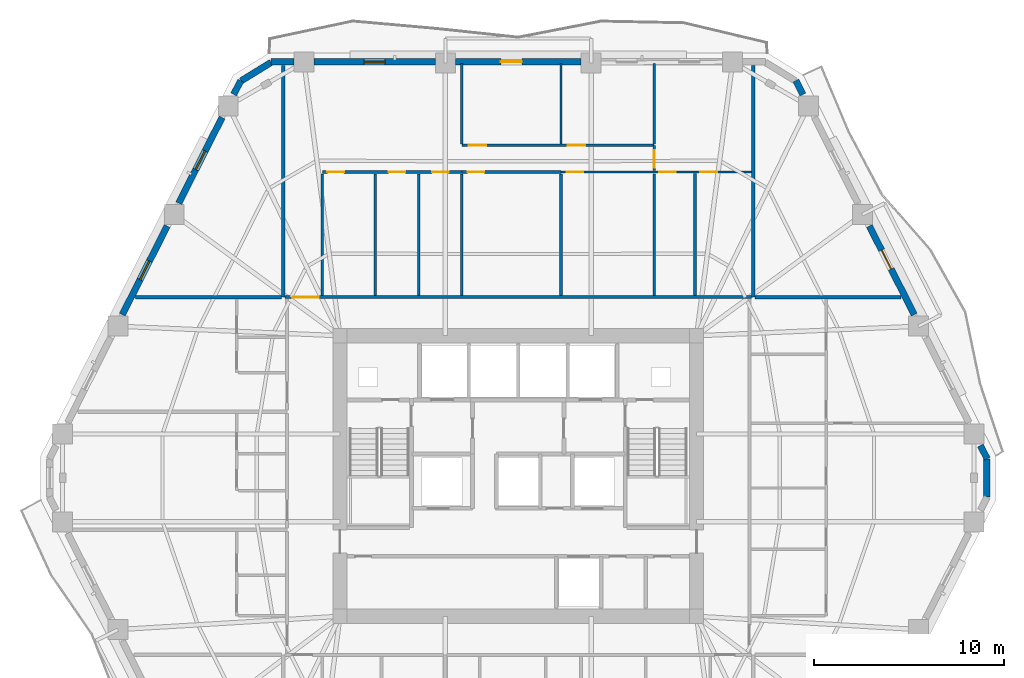
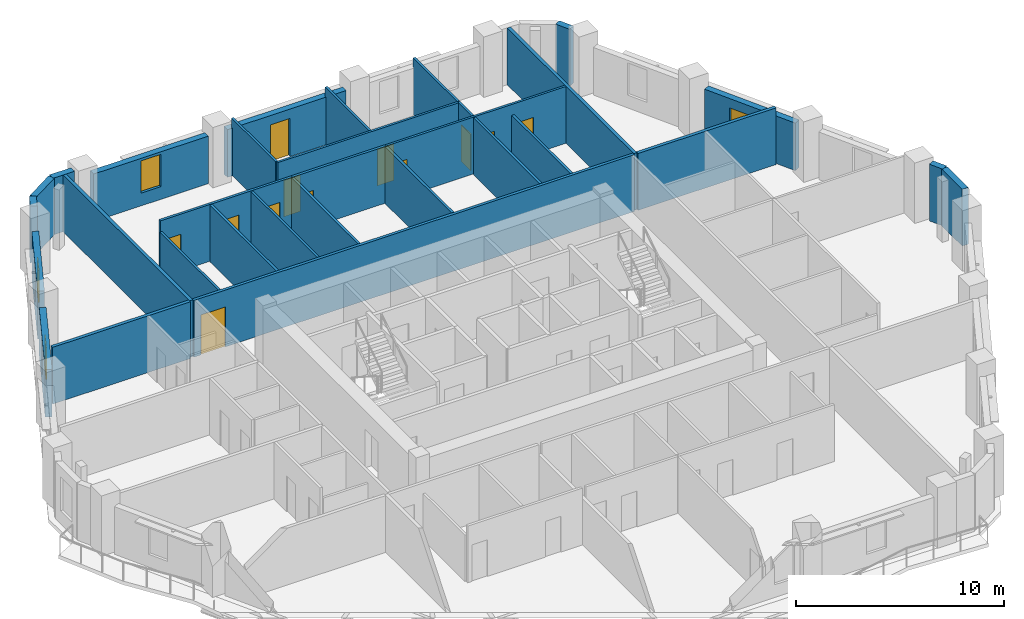
# One storey, part 7 of 12: 31 walls, 13 doors, 3 windows, 16 openings.
"""IFC4 building model written with IfcOpenShell, lengths in metres."""

from ifc_helpers import new_model, si_unit, direction, frame, frame_2d, origin, place, context, subcontext, project, spatial, rectangle, extrude, material, layer, layer_set, type_object, element, fill, save


model = new_model("IFC4")

# Units and contexts
model_context = context("Model", 3, precision=1e-05, world=origin(), true_north=direction((0.0, 1.0)))
body_context = subcontext(model_context, "Body", "Model", "MODEL_VIEW")
ifc_project = project(units=[si_unit("LENGTHUNIT", "METRE"), si_unit("AREAUNIT", "SQUARE_METRE"), si_unit("VOLUMEUNIT", "CUBIC_METRE"), si_unit("PLANEANGLEUNIT", "RADIAN"), si_unit("MASSUNIT", "GRAM", prefix="KILO")], contexts=[model_context])

# Site, building, storey
site_placement = place(None, origin())
site = spatial("IfcSite", under=ifc_project, at=site_placement, CompositionType="ELEMENT")
building_placement = place(site_placement, origin())
building = spatial("IfcBuilding", under=site, at=building_placement, Name="Cinnabar Lancet Tower", CompositionType="ELEMENT")
storey_placement = place(building_placement, frame((0.0, 0.0, 112.60009765625)))
storey = spatial("IfcBuildingStorey", under=building, at=storey_placement, Name="L29", CompositionType="ELEMENT", Elevation=112.60009765625)

# Wall, opening, door
ifc_material_1 = material(Name="Acoustic twin-stud gypsum partition", Category="gypsum")
ifc_layer_1 = layer(ifc_material_1, 0.159912109375)
ifc_layer_set_1 = layer_set([ifc_layer_1], Name="Acoustic twin-stud gypsum partition")
wall_type_1 = type_object("IfcWallType", Name="ARC-WL-CORR-160", PredefinedType="PARTITIONING", material=ifc_layer_set_1)
wall_1_placement = place(storey_placement, frame((20.14501953125, 35.300048828125, 0.0), z_axis=(0.0, 0.0, 1.0), x_axis=(1.0, 0.0, 0.0)))
wall_1 = element("IfcWall", 1, at=wall_1_placement, inside=storey, type_object=wall_type_1, Name="L29 Unit N01 Corridor Wall", PredefinedType="PARTITIONING", context=body_context, shape_type="SweptSolid", body=[
    extrude(rectangle(XDim=24.510009765625, YDim=0.159912109375, at=frame_2d((12.2548828125, 0.0))), origin(), (0.0, 0.0, 1.0), 3.33984375),
])
opening_1_placement = place(wall_1_placement, frame((0.405029296875, 0.0, 0.0)))
opening_1 = element("IfcOpeningElement", 2, at=opening_1_placement, cuts=wall_1, Name="Opening UD-02", PredefinedType="OPENING", context=body_context, shape_type="SweptSolid", body=[
    extrude(rectangle(XDim=1.35009765625, YDim=2.35009765625, at=frame_2d((0.675048828125, 1.175048828125))), frame((0.0, 0.08984375, 0.0), z_axis=(0.0, -1.0, 0.0), x_axis=(1.0, 0.0, 0.0)), (0.0, 0.0, 1.0), 0.179931640625),
])
ifc_material_2 = material(Name="Double-leaf solid timber penthouse entrance door", Category="wood")
door_type_1 = type_object("IfcDoorType", Name="ARC-DR-UNIT-PH", OperationType="NOTDEFINED", PredefinedType="DOOR", material=ifc_material_2)
door_1_placement = place(opening_1_placement, origin())
door_1 = element("IfcDoor", 3, at=door_1_placement, inside=storey, type_object=door_type_1, Name="DR-L29-N01-ENT", OperationType="SINGLE_SWING_LEFT", OverallHeight=2.35009765625, OverallWidth=1.35009765625, PredefinedType="DOOR", context=body_context, shape_type="SweptSolid", body=[
    extrude(rectangle(XDim=1.35009765625, YDim=2.35009765625, at=frame_2d((0.675048828125, 1.175048828125))), frame((0.0, 0.02490234375, 0.0), z_axis=(0.0, -1.0, 0.0), x_axis=(1.0, 0.0, 0.0)), (0.0, 0.0, 1.0), 0.050048828125),
])
fill(opening_1, door_1)

# Walls
ifc_material_3 = material(Name="Fire-rated twin-frame acoustic drywall", Category="gypsum")
ifc_layer_2 = layer(ifc_material_3, 0.179931640625)
ifc_layer_set_2 = layer_set([ifc_layer_2], Name="Fire-rated twin-frame acoustic drywall")
wall_type_2 = type_object("IfcWallType", Name="ARC-WL-PARTY-180", PredefinedType="PARTITIONING", material=ifc_layer_set_2)
for number, where, z_axis, x_axis, name in (
    (4, (20.050048828125, 35.300048828125, 0.0), (0.0, 0.0, 1.0), (0.0, 1.0, 0.0), "PW-L29-NPTY-200"),
    (5, (44.75, 35.300048828125, 0.0), (0.0, 0.0, 1.0), (0.0, 1.0, 0.0), "PW-L29-NPTY-448"),
):
    element("IfcWall", number, at=place(storey_placement, frame(where, z_axis=z_axis, x_axis=x_axis)), inside=storey, type_object=wall_type_2, Name=name, PredefinedType="PARTITIONING", context=body_context, shape_type="SweptSolid", body=[
        extrude(rectangle(XDim=12.195068359375, YDim=0.179931640625, at=frame_2d((6.09765625, 0.0))), origin(), (0.0, 0.0, 1.0), 3.33984375),
    ])
wall_2_placement = place(storey_placement, frame((12.285888671875, 35.300048828125, 0.0), z_axis=(0.0, 0.0, 1.0), x_axis=(1.0, 0.0, 0.0)))
element("IfcWall", 6, at=wall_2_placement, inside=storey, type_object=wall_type_2, Name="PW-L29-WNB", PredefinedType="PARTITIONING", context=body_context, shape_type="SweptSolid", body=[
    extrude(rectangle(XDim=7.669189453125, YDim=0.179931640625, at=frame_2d((3.83447265625, 0.0))), origin(), (0.0, 0.0, 1.0), 3.33984375),
])
wall_3_placement = place(storey_placement, frame((44.844970703125, 35.300048828125, 0.0), z_axis=(0.0, 0.0, 1.0), x_axis=(1.0, 0.0, 0.0)))
element("IfcWall", 7, at=wall_3_placement, inside=storey, type_object=wall_type_2, Name="PW-L29-ENB", PredefinedType="PARTITIONING", context=body_context, shape_type="SweptSolid", body=[
    extrude(rectangle(XDim=7.6689453125, YDim=0.179931640625, at=frame_2d((3.83447265625, 0.0))), origin(), (0.0, 0.0, 1.0), 3.33984375),
])
ifc_material_4 = material(Name="Gypsum plasterboard stud partition", Category="gypsum")
ifc_layer_3 = layer(ifc_material_4, 0.125)
ifc_layer_set_3 = layer_set([ifc_layer_3], Name="Gypsum plasterboard stud partition")
wall_type_3 = type_object("IfcWallType", Name="ARC-WL-UNIT-125", PredefinedType="PARTITIONING", material=ifc_layer_set_3)
wall_4_placement = place(storey_placement, frame((22.10009765625, 35.385009765625, 0.0), z_axis=(0.0, 0.0, 1.0), x_axis=(0.0, 1.0, 0.0)))
element("IfcWall", 8, at=wall_4_placement, inside=storey, type_object=wall_type_3, Name="UW-L29-N01-FOYE", PredefinedType="PARTITIONING", context=body_context, shape_type="SweptSolid", body=[
    extrude(rectangle(XDim=6.39501953125, YDim=0.125, at=frame_2d((3.197509765625, 0.0))), origin(), (0.0, 0.0, 1.0), 2.721923828125),
])

# Wall, openings, doors
wall_5_placement = place(storey_placement, frame((34.64306640625, 41.885009765625, 0.0), z_axis=(0.0, 0.0, 1.0), x_axis=(1.0, 0.0, 0.0)))
wall_5 = element("IfcWall", 9, at=wall_5_placement, inside=storey, type_object=wall_type_3, Name="UW-L29-N01-SP2", PredefinedType="PARTITIONING", context=body_context, shape_type="SweptSolid", body=[
    extrude(rectangle(XDim=10.011962890625, YDim=0.125, at=frame_2d((5.005859375, 0.0))), origin(), (0.0, 0.0, 1.0), 3.33984375),
])
opening_2_placement = place(wall_5_placement, frame((5.179931640625, 0.0, 0.0)))
opening_2 = element("IfcOpeningElement", 10, at=opening_2_placement, cuts=wall_5, Name="Opening BD-01", PredefinedType="OPENING", context=body_context, shape_type="SweptSolid", body=[
    extrude(rectangle(XDim=0.860107421875, YDim=2.10009765625, at=frame_2d((0.43017578125, 1.050048828125))), frame((0.0, 0.072509765625, 0.0), z_axis=(0.0, -1.0, 0.0), x_axis=(1.0, 0.0, 0.0)), (0.0, 0.0, 1.0), 0.14501953125),
])
opening_3_placement = place(wall_5_placement, frame((7.327880859375, 0.0, 0.0)))
opening_3 = element("IfcOpeningElement", 11, at=opening_3_placement, cuts=wall_5, Name="Opening RD-02", PredefinedType="OPENING", context=body_context, shape_type="SweptSolid", body=[
    extrude(rectangle(XDim=0.8798828125, YDim=2.14990234375, at=frame_2d((0.43994140625, 1.074951171875))), frame((0.0, 0.072509765625, 0.0), z_axis=(0.0, -1.0, 0.0), x_axis=(1.0, 0.0, 0.0)), (0.0, 0.0, 1.0), 0.14501953125),
])
opening_4_placement = place(wall_5_placement, frame((0.300048828125, 0.0, 0.0)))
opening_4 = element("IfcOpeningElement", 12, at=opening_4_placement, cuts=wall_5, Name="Opening RD-02", PredefinedType="OPENING", context=body_context, shape_type="SweptSolid", body=[
    extrude(rectangle(XDim=0.8798828125, YDim=2.14990234375, at=frame_2d((0.43994140625, 1.074951171875))), frame((0.0, 0.072509765625, 0.0), z_axis=(0.0, -1.0, 0.0), x_axis=(1.0, 0.0, 0.0)), (0.0, 0.0, 1.0), 0.14501953125),
])
ifc_material_5 = material(Name="Moisture-resistant timber bathroom door", Category="wood")
door_type_2 = type_object("IfcDoorType", Name="ARC-DR-BATH", OperationType="NOTDEFINED", PredefinedType="DOOR", material=ifc_material_5)
door_2_placement = place(opening_2_placement, origin())
door_2 = element("IfcDoor", 13, at=door_2_placement, inside=storey, type_object=door_type_2, Name="DR-L29-N01-ENS", OperationType="SINGLE_SWING_RIGHT", OverallHeight=2.10009765625, OverallWidth=0.860107421875, PredefinedType="DOOR", context=body_context, shape_type="SweptSolid", body=[
    extrude(rectangle(XDim=0.860107421875, YDim=2.10009765625, at=frame_2d((0.43017578125, 1.050048828125))), frame((0.0, 0.02490234375, 0.0), z_axis=(0.0, -1.0, 0.0), x_axis=(1.0, 0.0, 0.0)), (0.0, 0.0, 1.0), 0.050048828125),
])
fill(opening_2, door_2)
ifc_material_6 = material(Name="Engineered timber study door", Category="wood")
door_type_3 = type_object("IfcDoorType", Name="ARC-DR-STUDY", OperationType="NOTDEFINED", PredefinedType="DOOR", material=ifc_material_6)
door_3_placement = place(opening_3_placement, origin())
door_3 = element("IfcDoor", 14, at=door_3_placement, inside=storey, type_object=door_type_3, Name="DR-L29-N01-ENS-WDR", OperationType="SINGLE_SWING_LEFT", OverallHeight=2.14990234375, OverallWidth=0.8798828125, PredefinedType="DOOR", context=body_context, shape_type="SweptSolid", body=[
    extrude(rectangle(XDim=0.8798828125, YDim=2.14990234375, at=frame_2d((0.43994140625, 1.074951171875))), frame((0.0, 0.02490234375, 0.0), z_axis=(0.0, -1.0, 0.0), x_axis=(1.0, 0.0, 0.0)), (0.0, 0.0, 1.0), 0.050048828125),
])
fill(opening_3, door_3)
door_4_placement = place(opening_4_placement, origin())
door_4 = element("IfcDoor", 15, at=door_4_placement, inside=storey, type_object=door_type_3, Name="DR-L29-N01-DRS", OperationType="SINGLE_SWING_LEFT", OverallHeight=2.14990234375, OverallWidth=0.8798828125, PredefinedType="DOOR", context=body_context, shape_type="SweptSolid", body=[
    extrude(rectangle(XDim=0.8798828125, YDim=2.14990234375, at=frame_2d((0.43994140625, 1.074951171875))), frame((0.0, 0.02490234375, 0.0), z_axis=(0.0, -1.0, 0.0), x_axis=(1.0, 0.0, 0.0)), (0.0, 0.0, 1.0), 0.050048828125),
])
fill(opening_4, door_4)

# Walls
wall_6_placement = place(storey_placement, frame((27.162109375, 35.385009765625, 0.0), z_axis=(0.0, 0.0, 1.0), x_axis=(0.0, 1.0, 0.0)))
element("IfcWall", 16, at=wall_6_placement, inside=storey, type_object=wall_type_3, Name="UW-L29-N01-STD", PredefinedType="PARTITIONING", context=body_context, shape_type="SweptSolid", body=[
    extrude(rectangle(XDim=6.39501953125, YDim=0.125, at=frame_2d((3.197509765625, 0.0))), origin(), (0.0, 0.0, 1.0), 3.33984375),
])
wall_7_placement = place(storey_placement, frame((29.43603515625, 43.35009765625, 0.0), z_axis=(0.0, 0.0, 1.0), x_axis=(0.0, 1.0, 0.0)))
element("IfcWall", 17, at=wall_7_placement, inside=storey, type_object=wall_type_3, Name="UW-L29-N01-BD2W", PredefinedType="PARTITIONING", context=body_context, shape_type="SweptSolid", body=[
    extrude(rectangle(XDim=4.23486328125, YDim=0.125, at=frame_2d((2.117431640625, 0.0))), origin(), (0.0, 0.0, 1.0), 3.33984375),
])

# Wall, openings, doors
wall_8_placement = place(storey_placement, frame((29.43603515625, 43.284912109375, 0.0), z_axis=(0.0, 0.0, 1.0), x_axis=(1.0, 0.0, 0.0)))
wall_8 = element("IfcWall", 18, at=wall_8_placement, inside=storey, type_object=wall_type_3, Name="UW-L29-N01-HLN", PredefinedType="PARTITIONING", context=body_context, shape_type="SweptSolid", body=[
    extrude(rectangle(XDim=10.10693359375, YDim=0.125, at=frame_2d((5.053466796875, 0.0))), origin(), (0.0, 0.0, 1.0), 3.33984375),
])
opening_5_placement = place(wall_8_placement, frame((0.35009765625, 0.0, 0.0)))
opening_5 = element("IfcOpeningElement", 19, at=opening_5_placement, cuts=wall_8, Name="Opening RD-01", PredefinedType="OPENING", context=body_context, shape_type="SweptSolid", body=[
    extrude(rectangle(XDim=0.919921875, YDim=2.14990234375, at=frame_2d((0.4599609375, 1.074951171875))), frame((0.0, 0.072509765625, 0.0), z_axis=(0.0, -1.0, 0.0), x_axis=(1.0, 0.0, 0.0)), (0.0, 0.0, 1.0), 0.14501953125),
])
opening_6_placement = place(wall_8_placement, frame((5.556884765625, 0.0, 0.0)))
opening_6 = element("IfcOpeningElement", 20, at=opening_6_placement, cuts=wall_8, Name="Opening RD-01", PredefinedType="OPENING", context=body_context, shape_type="SweptSolid", body=[
    extrude(rectangle(XDim=0.919921875, YDim=2.14990234375, at=frame_2d((0.4599609375, 1.074951171875))), frame((0.0, 0.072509765625, 0.0), z_axis=(0.0, -1.0, 0.0), x_axis=(1.0, 0.0, 0.0)), (0.0, 0.0, 1.0), 0.14501953125),
])
ifc_material_7 = material(Name="Engineered timber bedroom door", Category="wood")
door_type_4 = type_object("IfcDoorType", Name="ARC-DR-ROOM", OperationType="NOTDEFINED", PredefinedType="DOOR", material=ifc_material_7)
door_5_placement = place(opening_5_placement, origin())
door_5 = element("IfcDoor", 21, at=door_5_placement, inside=storey, type_object=door_type_4, Name="DR-L29-N01-BD2", OperationType="SINGLE_SWING_RIGHT", OverallHeight=2.14990234375, OverallWidth=0.919921875, PredefinedType="DOOR", context=body_context, shape_type="SweptSolid", body=[
    extrude(rectangle(XDim=0.919921875, YDim=2.14990234375, at=frame_2d((0.4599609375, 1.074951171875))), frame((0.0, 0.02490234375, 0.0), z_axis=(0.0, -1.0, 0.0), x_axis=(1.0, 0.0, 0.0)), (0.0, 0.0, 1.0), 0.050048828125),
])
fill(opening_5, door_5)
door_6_placement = place(opening_6_placement, origin())
door_6 = element("IfcDoor", 22, at=door_6_placement, inside=storey, type_object=door_type_4, Name="DR-L29-N01-BD3", OperationType="SINGLE_SWING_LEFT", OverallHeight=2.14990234375, OverallWidth=0.919921875, PredefinedType="DOOR", context=body_context, shape_type="SweptSolid", body=[
    extrude(rectangle(XDim=0.919921875, YDim=2.14990234375, at=frame_2d((0.4599609375, 1.074951171875))), frame((0.0, 0.02490234375, 0.0), z_axis=(0.0, -1.0, 0.0), x_axis=(1.0, 0.0, 0.0)), (0.0, 0.0, 1.0), 0.050048828125),
])
fill(opening_6, door_6)

# Wall, opening, door
wall_9_placement = place(storey_placement, frame((39.54296875, 41.955078125, 0.0), z_axis=(0.0, 0.0, 1.0), x_axis=(0.0, 1.0, 0.0)))
wall_9 = element("IfcWall", 23, at=wall_9_placement, inside=storey, type_object=wall_type_3, Name="UW-L29-N01-MBE", PredefinedType="PARTITIONING", context=body_context, shape_type="SweptSolid", body=[
    extrude(rectangle(XDim=1.329833984375, YDim=0.125, at=frame_2d((0.6650390625, 0.0))), origin(), (0.0, 0.0, 1.0), 3.33984375),
])
opening_7_placement = place(wall_9_placement, frame((0.159912109375, 0.0, 0.0)))
opening_7 = element("IfcOpeningElement", 24, at=opening_7_placement, cuts=wall_9, Name="Opening RD-01", PredefinedType="OPENING", context=body_context, shape_type="SweptSolid", body=[
    extrude(rectangle(XDim=0.919921875, YDim=2.14990234375, at=frame_2d((0.4599609375, 1.074951171875))), frame((0.0, 0.072509765625, 0.0), z_axis=(0.0, -1.0, 0.0), x_axis=(1.0, 0.0, 0.0)), (0.0, 0.0, 1.0), 0.14501953125),
])
door_7_placement = place(opening_7_placement, origin())
door_7 = element("IfcDoor", 25, at=door_7_placement, inside=storey, type_object=door_type_4, Name="DR-L29-N01-MBD", OperationType="SINGLE_SWING_RIGHT", OverallHeight=2.14990234375, OverallWidth=0.919921875, PredefinedType="DOOR", context=body_context, shape_type="SweptSolid", body=[
    extrude(rectangle(XDim=0.919921875, YDim=2.14990234375, at=frame_2d((0.4599609375, 1.074951171875))), frame((0.0, 0.02490234375, 0.0), z_axis=(0.0, -1.0, 0.0), x_axis=(1.0, 0.0, 0.0)), (0.0, 0.0, 1.0), 0.050048828125),
])
fill(opening_7, door_7)

# Walls
for number, where, z_axis, x_axis, name in (
    (26, (34.64306640625, 43.35009765625, 0.0), (0.0, 0.0, 1.0), (0.0, 1.0, 0.0), "UW-L29-N01-MB2W"),
    (27, (39.54296875, 43.35009765625, 0.0), (0.0, 0.0, 1.0), (0.0, 1.0, 0.0), "UW-L29-N01-B23W"),
):
    element("IfcWall", number, at=place(storey_placement, frame(where, z_axis=z_axis, x_axis=x_axis)), inside=storey, type_object=wall_type_3, Name=name, PredefinedType="PARTITIONING", context=body_context, shape_type="SweptSolid", body=[
        extrude(rectangle(XDim=4.23486328125, YDim=0.125, at=frame_2d((2.117431640625, 0.0))), origin(), (0.0, 0.0, 1.0), 3.33984375),
    ])

# Wall, openings, doors
ifc_material_8 = material(Name="Moisture-resistant cement-board plumbing wall", Category="masonry")
ifc_layer_4 = layer(ifc_material_8, 0.139892578125)
ifc_layer_set_4 = layer_set([ifc_layer_4], Name="Moisture-resistant cement-board plumbing wall")
wall_type_4 = type_object("IfcWallType", Name="ARC-WL-WET-140", PredefinedType="PLUMBINGWALL", material=ifc_layer_set_4)
wall_10_placement = place(storey_placement, frame((22.10009765625, 41.885009765625, 0.0), z_axis=(0.0, 0.0, 1.0), x_axis=(1.0, 0.0, 0.0)))
wall_10 = element("IfcWall", 28, at=wall_10_placement, inside=storey, type_object=wall_type_4, Name="UW-L29-N01-SPL", PredefinedType="PLUMBINGWALL", context=body_context, shape_type="SweptSolid", body=[
    extrude(rectangle(XDim=7.3359375, YDim=0.139892578125, at=frame_2d((3.66796875, 0.0))), origin(), (0.0, 0.0, 1.0), 3.33984375),
])
opening_8_placement = place(wall_10_placement, frame((5.77392578125, 0.0, 0.0)))
opening_8 = element("IfcOpeningElement", 29, at=opening_8_placement, cuts=wall_10, Name="Opening BD-01", PredefinedType="OPENING", context=body_context, shape_type="SweptSolid", body=[
    extrude(rectangle(XDim=0.860107421875, YDim=2.10009765625, at=frame_2d((0.43017578125, 1.050048828125))), frame((0.0, 0.079833984375, 0.0), z_axis=(0.0, -1.0, 0.0), x_axis=(1.0, 0.0, 0.0)), (0.0, 0.0, 1.0), 0.159912109375),
])
opening_9_placement = place(wall_10_placement, frame((0.260009765625, 0.0, 0.0)))
opening_9 = element("IfcOpeningElement", 30, at=opening_9_placement, cuts=wall_10, Name="Opening RD-02", PredefinedType="OPENING", context=body_context, shape_type="SweptSolid", body=[
    extrude(rectangle(XDim=0.8798828125, YDim=2.14990234375, at=frame_2d((0.43994140625, 1.074951171875))), frame((0.0, 0.079833984375, 0.0), z_axis=(0.0, -1.0, 0.0), x_axis=(1.0, 0.0, 0.0)), (0.0, 0.0, 1.0), 0.159912109375),
])
opening_10_placement = place(wall_10_placement, frame((3.485107421875, 0.0, 0.0)))
opening_10 = element("IfcOpeningElement", 31, at=opening_10_placement, cuts=wall_10, Name="Opening RD-02", PredefinedType="OPENING", context=body_context, shape_type="SweptSolid", body=[
    extrude(rectangle(XDim=0.8798828125, YDim=2.14990234375, at=frame_2d((0.43994140625, 1.074951171875))), frame((0.0, 0.079833984375, 0.0), z_axis=(0.0, -1.0, 0.0), x_axis=(1.0, 0.0, 0.0)), (0.0, 0.0, 1.0), 0.159912109375),
])
door_8_placement = place(opening_8_placement, origin())
door_8 = element("IfcDoor", 32, at=door_8_placement, inside=storey, type_object=door_type_2, Name="DR-L29-N01-BTH", OperationType="SINGLE_SWING_RIGHT", OverallHeight=2.10009765625, OverallWidth=0.860107421875, PredefinedType="DOOR", context=body_context, shape_type="SweptSolid", body=[
    extrude(rectangle(XDim=0.860107421875, YDim=2.10009765625, at=frame_2d((0.43017578125, 1.050048828125))), frame((0.0, 0.02490234375, 0.0), z_axis=(0.0, -1.0, 0.0), x_axis=(1.0, 0.0, 0.0)), (0.0, 0.0, 1.0), 0.050048828125),
])
fill(opening_8, door_8)
door_9_placement = place(opening_9_placement, origin())
door_9 = element("IfcDoor", 33, at=door_9_placement, inside=storey, type_object=door_type_3, Name="DR-L29-N01-KIT", OperationType="SINGLE_SWING_RIGHT", OverallHeight=2.14990234375, OverallWidth=0.8798828125, PredefinedType="DOOR", context=body_context, shape_type="SweptSolid", body=[
    extrude(rectangle(XDim=0.8798828125, YDim=2.14990234375, at=frame_2d((0.43994140625, 1.074951171875))), frame((0.0, 0.02490234375, 0.0), z_axis=(0.0, -1.0, 0.0), x_axis=(1.0, 0.0, 0.0)), (0.0, 0.0, 1.0), 0.050048828125),
])
fill(opening_9, door_9)
door_10_placement = place(opening_10_placement, origin())
door_10 = element("IfcDoor", 34, at=door_10_placement, inside=storey, type_object=door_type_3, Name="DR-L29-N01-STD", OperationType="SINGLE_SWING_LEFT", OverallHeight=2.14990234375, OverallWidth=0.8798828125, PredefinedType="DOOR", context=body_context, shape_type="SweptSolid", body=[
    extrude(rectangle(XDim=0.8798828125, YDim=2.14990234375, at=frame_2d((0.43994140625, 1.074951171875))), frame((0.0, 0.02490234375, 0.0), z_axis=(0.0, -1.0, 0.0), x_axis=(1.0, 0.0, 0.0)), (0.0, 0.0, 1.0), 0.050048828125),
])
fill(opening_10, door_10)

# Wall, opening, door
wall_11_placement = place(storey_placement, frame((29.43603515625, 41.885009765625, 0.0), z_axis=(0.0, 0.0, 1.0), x_axis=(1.0, 0.0, 0.0)))
wall_11 = element("IfcWall", 35, at=wall_11_placement, inside=storey, type_object=wall_type_4, Name="UW-L29-N01-SPM", PredefinedType="PLUMBINGWALL", context=body_context, shape_type="SweptSolid", body=[
    extrude(rectangle(XDim=5.20703125, YDim=0.139892578125, at=frame_2d((2.603515625, 0.0))), origin(), (0.0, 0.0, 1.0), 3.33984375),
])
opening_11_placement = place(wall_11_placement, frame((0.300048828125, 0.0, 0.0)))
opening_11 = element("IfcOpeningElement", 36, at=opening_11_placement, cuts=wall_11, Name="Opening RD-02", PredefinedType="OPENING", context=body_context, shape_type="SweptSolid", body=[
    extrude(rectangle(XDim=0.8798828125, YDim=2.14990234375, at=frame_2d((0.43994140625, 1.074951171875))), frame((0.0, 0.079833984375, 0.0), z_axis=(0.0, -1.0, 0.0), x_axis=(1.0, 0.0, 0.0)), (0.0, 0.0, 1.0), 0.159912109375),
])
door_11_placement = place(opening_11_placement, origin())
door_11 = element("IfcDoor", 37, at=door_11_placement, inside=storey, type_object=door_type_3, Name="DR-L29-N01-UTL", OperationType="SINGLE_SWING_LEFT", OverallHeight=2.14990234375, OverallWidth=0.8798828125, PredefinedType="DOOR", context=body_context, shape_type="SweptSolid", body=[
    extrude(rectangle(XDim=0.8798828125, YDim=2.14990234375, at=frame_2d((0.43994140625, 1.074951171875))), frame((0.0, 0.02490234375, 0.0), z_axis=(0.0, -1.0, 0.0), x_axis=(1.0, 0.0, 0.0)), (0.0, 0.0, 1.0), 0.050048828125),
])
fill(opening_11, door_11)

# Walls
for number, where, z_axis, x_axis, name in (
    (38, (24.887939453125, 35.385009765625, 0.0), (0.0, 0.0, 1.0), (0.0, 1.0, 0.0), "UW-L29-N01-KDV"),
    (39, (29.43603515625, 35.385009765625, 0.0), (0.0, 0.0, 1.0), (0.0, 1.0, 0.0), "UW-L29-N01-ENSW"),
    (40, (34.64306640625, 35.385009765625, 0.0), (0.0, 0.0, 1.0), (0.0, 1.0, 0.0), "UW-L29-N01-ENSE"),
    (41, (39.54296875, 35.385009765625, 0.0), (0.0, 0.0, 1.0), (0.0, 1.0, 0.0), "UW-L29-N01-UT3"),
):
    element("IfcWall", number, at=place(storey_placement, frame(where, z_axis=z_axis, x_axis=x_axis)), inside=storey, type_object=wall_type_4, Name=name, PredefinedType="PLUMBINGWALL", context=body_context, shape_type="SweptSolid", body=[
        extrude(rectangle(XDim=6.39501953125, YDim=0.139892578125, at=frame_2d((3.197509765625, 0.0))), origin(), (0.0, 0.0, 1.0), 3.33984375),
    ])
wall_12_placement = place(storey_placement, frame((41.69091796875, 35.385009765625, 0.0), z_axis=(0.0, 0.0, 1.0), x_axis=(0.0, 1.0, 0.0)))
element("IfcWall", 42, at=wall_12_placement, inside=storey, type_object=wall_type_4, Name="UW-L29-N01-ENS-WDV", PredefinedType="PLUMBINGWALL", context=body_context, shape_type="SweptSolid", body=[
    extrude(rectangle(XDim=6.4150390625, YDim=0.139892578125, at=frame_2d((3.20751953125, 0.0))), origin(), (0.0, 0.0, 1.0), 2.721923828125),
])
ifc_material_9 = material(Name="Cinnabar red clay brick", Category="masonry")
ifc_layer_5 = layer(ifc_material_9, 0.340087890625)
ifc_layer_set_5 = layer_set([ifc_layer_5], Name="Cinnabar red clay brick")
wall_type_5 = type_object("IfcWallType", Name="ENV-WL-BRK-RED-340", PredefinedType="STANDARD", material=ifc_layer_set_5)
wall_13_placement = place(storey_placement, frame((57.032958984375, 24.802978515625, 0.0), z_axis=(0.0, 0.0, 1.0), x_axis=(0.0, 1.0, 0.0)))
element("IfcWall", 43, at=wall_13_placement, inside=storey, type_object=wall_type_5, Name="L29 Chamfered Corner Brick Pier 3.1", PredefinedType="STANDARD", context=body_context, shape_type="SweptSolid", body=[
    extrude(rectangle(XDim=1.994140625, YDim=0.340087890625, at=frame_2d((0.9970703125, 0.0))), origin(), (0.0, 0.0, 1.0), 3.33984375),
])
wall_14_placement = place(storey_placement, frame((19.403076171875, 47.64501953125, 0.0), z_axis=(0.0, 0.0, 1.0), x_axis=(-0.851798915137, -0.523868884523, 0.0)))
element("IfcWall", 44, at=wall_14_placement, inside=storey, type_object=wall_type_5, Name="L29 Chamfered Corner Brick Pier 5.1", PredefinedType="STANDARD", context=body_context, shape_type="SweptSolid", body=[
    extrude(rectangle(XDim=1.847900390625, YDim=0.340087890625, at=frame_2d((0.923828125, 0.0))), origin(), (0.0, 0.0, 1.0), 3.33984375),
])
wall_15_placement = place(storey_placement, frame((57.053955078125, 26.803955078125, 0.0), z_axis=(0.0, 0.0, 1.0), x_axis=(-0.451819324107, 0.89210946546, 0.0)))
element("IfcWall", 45, at=wall_15_placement, inside=storey, type_object=wall_type_5, Name="L29 Face 3 Masonry Bay Wall 1", PredefinedType="STANDARD", context=body_context, shape_type="SweptSolid", body=[
    extrude(rectangle(XDim=0.783447265625, YDim=0.340087890625, at=frame_2d((0.3916015625, 0.0))), origin(), (0.0, 0.0, 1.0), 3.33984375),
])

# Wall, opening, door
wall_16_placement = place(storey_placement, frame((53.219970703125, 34.382080078125, 0.0), z_axis=(0.0, 0.0, 1.0), x_axis=(-0.451567731634, 0.892236842855, 0.0)))
wall_16 = element("IfcWall", 46, at=wall_16_placement, inside=storey, type_object=wall_type_5, Name="L29 Face 3 Masonry Bay Wall 3", PredefinedType="STANDARD", context=body_context, shape_type="SweptSolid", body=[
    extrude(rectangle(XDim=5.219482421875, YDim=0.340087890625, at=frame_2d((2.60986328125, 0.0))), origin(), (0.0, 0.0, 1.0), 2.796875),
])
opening_12_placement = place(wall_16_placement, frame((2.698974609375, 0.0, 0.0)))
opening_12 = element("IfcOpeningElement", 47, at=opening_12_placement, cuts=wall_16, Name="Opening TD-01", PredefinedType="OPENING", context=body_context, shape_type="SweptSolid", body=[
    extrude(rectangle(XDim=1.10009765625, YDim=2.25, at=frame_2d((0.550048828125, 1.125))), frame((0.0, 0.179931640625, 0.0), z_axis=(0.0, -1.0, 0.0), x_axis=(1.0, 0.0, 0.0)), (0.0, 0.0, 1.0), 0.360107421875),
])
ifc_material_10 = material(Name="Thermally broken low-E glazed balcony terrace door", Category="wood")
door_type_5 = type_object("IfcDoorType", Name="ARC-DR-BALC", OperationType="NOTDEFINED", PredefinedType="DOOR", material=ifc_material_10)
door_12_placement = place(opening_12_placement, origin())
door_12 = element("IfcDoor", 48, at=door_12_placement, inside=storey, type_object=door_type_5, Name="L29 Face 3 Glazed Terrace Door", OperationType="SINGLE_SWING_LEFT", OverallHeight=2.25, OverallWidth=1.10009765625, PredefinedType="DOOR", context=body_context, shape_type="SweptSolid", body=[
    extrude(rectangle(XDim=1.10009765625, YDim=2.25, at=frame_2d((0.550048828125, 1.125))), frame((0.0, 0.02490234375, 0.0), z_axis=(0.0, -1.0, 0.0), x_axis=(1.0, 0.0, 0.0)), (0.0, 0.0, 1.0), 0.050048828125),
])
fill(opening_12, door_12)

# Wall
wall_17_placement = place(storey_placement, frame((47.362060546875, 45.9599609375, 0.0), z_axis=(0.0, 0.0, 1.0), x_axis=(-0.45160540153, 0.89221777684, 0.0)))
element("IfcWall", 49, at=wall_17_placement, inside=storey, type_object=wall_type_5, Name="L29 Face 3 Masonry Bay Wall 5", PredefinedType="STANDARD", context=body_context, shape_type="SweptSolid", body=[
    extrude(rectangle(XDim=0.82177734375, YDim=0.340087890625, at=frame_2d((0.410888671875, 0.0))), origin(), (0.0, 0.0, 1.0), 3.33984375),
])

# Wall, opening, door
wall_18_placement = place(storey_placement, frame((35.702880859375, 47.669921875, 0.0), z_axis=(0.0, 0.0, 1.0), x_axis=(-1.0, 0.0, 0.0)))
wall_18 = element("IfcWall", 50, at=wall_18_placement, inside=storey, type_object=wall_type_5, Name="L29 Face 4 Masonry Bay Wall 3", PredefinedType="STANDARD", context=body_context, shape_type="SweptSolid", body=[
    extrude(rectangle(XDim=6.60595703125, YDim=0.340087890625, at=frame_2d((3.302978515625, 0.0))), origin(), (0.0, 0.0, 1.0), 2.796875),
])
opening_13_placement = place(wall_18_placement, frame((3.114013671875, 0.0, 0.0)))
opening_13 = element("IfcOpeningElement", 51, at=opening_13_placement, cuts=wall_18, Name="Opening TD-01", PredefinedType="OPENING", context=body_context, shape_type="SweptSolid", body=[
    extrude(rectangle(XDim=1.10009765625, YDim=2.25, at=frame_2d((0.550048828125, 1.125))), frame((0.0, 0.179931640625, 0.0), z_axis=(0.0, -1.0, 0.0), x_axis=(1.0, 0.0, 0.0)), (0.0, 0.0, 1.0), 0.360107421875),
])
door_13_placement = place(opening_13_placement, origin())
door_13 = element("IfcDoor", 52, at=door_13_placement, inside=storey, type_object=door_type_5, Name="L29 Face 4 Glazed Terrace Door", OperationType="SINGLE_SWING_RIGHT", OverallHeight=2.25, OverallWidth=1.10009765625, PredefinedType="DOOR", context=body_context, shape_type="SweptSolid", body=[
    extrude(rectangle(XDim=1.10009765625, YDim=2.25, at=frame_2d((0.550048828125, 1.125))), frame((0.0, 0.02490234375, 0.0), z_axis=(0.0, -1.0, 0.0), x_axis=(1.0, 0.0, 0.0)), (0.0, 0.0, 1.0), 0.050048828125),
])
fill(opening_13, door_13)

# Wall, opening, window
wall_19_placement = place(storey_placement, frame((28.0390625, 47.669921875, 0.0), z_axis=(0.0, 0.0, 1.0), x_axis=(-1.0, 0.0, 0.0)))
wall_19 = element("IfcWall", 53, at=wall_19_placement, inside=storey, type_object=wall_type_5, Name="L29 Face 4 Masonry Bay Wall 4", PredefinedType="STANDARD", context=body_context, shape_type="SweptSolid", body=[
    extrude(rectangle(XDim=6.379150390625, YDim=0.340087890625, at=frame_2d((3.189453125, 0.0))), origin(), (0.0, 0.0, 1.0), 2.796875),
])
opening_14_placement = place(wall_19_placement, frame((2.639892578125, 0.0, 0.75)))
opening_14 = element("IfcOpeningElement", 54, at=opening_14_placement, cuts=wall_19, Name="Opening WN-04", PredefinedType="OPENING", context=body_context, shape_type="SweptSolid", body=[
    extrude(rectangle(XDim=1.10009765625, YDim=1.89697265625, at=frame_2d((0.550048828125, 0.948486328125))), frame((0.0, 0.179931640625, 0.0), z_axis=(0.0, -1.0, 0.0), x_axis=(1.0, 0.0, 0.0)), (0.0, 0.0, 1.0), 0.360107421875),
])
ifc_material_11 = material(Name="Thermally broken bronze-anodized aluminium tall lancet window", Category="aluminium")
window_type = type_object("IfcWindowType", Name="ENV-WN-LANCET-1100", PartitioningType="SINGLE_PANEL", PredefinedType="WINDOW", material=ifc_material_11)
window_1_placement = place(opening_14_placement, origin())
window_1 = element("IfcWindow", 55, at=window_1_placement, inside=storey, type_object=window_type, Name="L29 Face 4 Gothic Lancet Window 4", OverallHeight=1.89697265625, OverallWidth=1.10009765625, PartitioningType="SINGLE_PANEL", PredefinedType="WINDOW", context=body_context, shape_type="SweptSolid", body=[
    extrude(rectangle(XDim=1.10009765625, YDim=1.89697265625, at=frame_2d((0.550048828125, 0.948486328125))), frame((0.0, 0.030029296875, 0.0), z_axis=(0.0, -1.0, 0.0), x_axis=(1.0, 0.0, 0.0)), (0.0, 0.0, 1.0), 0.06005859375),
])
fill(opening_14, window_1)

# Walls
wall_20_placement = place(storey_placement, frame((20.60205078125, 47.669921875, 0.0), z_axis=(0.0, 0.0, 1.0), x_axis=(-1.0, 0.0, 0.0)))
element("IfcWall", 56, at=wall_20_placement, inside=storey, type_object=wall_type_5, Name="L29 Face 4 Masonry Bay Wall 5", PredefinedType="STANDARD", context=body_context, shape_type="SweptSolid", body=[
    extrude(rectangle(XDim=1.2041015625, YDim=0.340087890625, at=frame_2d((0.60205078125, 0.0))), origin(), (0.0, 0.0, 1.0), 3.33984375),
])
wall_21_placement = place(storey_placement, frame((17.80908203125, 46.693115234375, 0.0), z_axis=(0.0, 0.0, 1.0), x_axis=(-0.45160540153, -0.89221777684, 0.0)))
element("IfcWall", 57, at=wall_21_placement, inside=storey, type_object=wall_type_5, Name="L29 Face 5 Masonry Bay Wall 1", PredefinedType="STANDARD", context=body_context, shape_type="SweptSolid", body=[
    extrude(rectangle(XDim=0.82177734375, YDim=0.340087890625, at=frame_2d((0.410888671875, 0.0))), origin(), (0.0, 0.0, 1.0), 3.33984375),
])

# Wall, opening, window
wall_22_placement = place(storey_placement, frame((16.824951171875, 44.748046875, 0.0), z_axis=(0.0, 0.0, 1.0), x_axis=(-0.451548465867, -0.892246593142, 0.0)))
wall_22 = element("IfcWall", 58, at=wall_22_placement, inside=storey, type_object=wall_type_5, Name="L29 Face 5 Masonry Bay Wall 2", PredefinedType="STANDARD", context=body_context, shape_type="SweptSolid", body=[
    extrude(rectangle(XDim=5.040283203125, YDim=0.340087890625, at=frame_2d((2.52001953125, 0.0))), origin(), (0.0, 0.0, 1.0), 2.796875),
])
opening_15_placement = place(wall_22_placement, frame((1.969970703125, 0.0, 0.75)))
opening_15 = element("IfcOpeningElement", 59, at=opening_15_placement, cuts=wall_22, Name="Opening WN-04", PredefinedType="OPENING", context=body_context, shape_type="SweptSolid", body=[
    extrude(rectangle(XDim=1.10009765625, YDim=1.89697265625, at=frame_2d((0.550048828125, 0.948486328125))), frame((0.0, 0.179931640625, 0.0), z_axis=(0.0, -1.0, 0.0), x_axis=(1.0, 0.0, 0.0)), (0.0, 0.0, 1.0), 0.360107421875),
])
window_2_placement = place(opening_15_placement, origin())
window_2 = element("IfcWindow", 60, at=window_2_placement, inside=storey, type_object=window_type, Name="L29 Face 5 Gothic Lancet Window 2", OverallHeight=1.89697265625, OverallWidth=1.10009765625, PartitioningType="SINGLE_PANEL", PredefinedType="WINDOW", context=body_context, shape_type="SweptSolid", body=[
    extrude(rectangle(XDim=1.10009765625, YDim=1.89697265625, at=frame_2d((0.550048828125, 0.948486328125))), frame((0.0, 0.030029296875, 0.0), z_axis=(0.0, -1.0, 0.0), x_axis=(1.0, 0.0, 0.0)), (0.0, 0.0, 1.0), 0.06005859375),
])
fill(opening_15, window_2)

wall_23_placement = place(storey_placement, frame((13.93701171875, 39.0390625, 0.0), z_axis=(0.0, 0.0, 1.0), x_axis=(-0.451567731634, -0.892236842855, 0.0)))
wall_23 = element("IfcWall", 61, at=wall_23_placement, inside=storey, type_object=wall_type_5, Name="L29 Face 5 Masonry Bay Wall 3", PredefinedType="STANDARD", context=body_context, shape_type="SweptSolid", body=[
    extrude(rectangle(XDim=5.219482421875, YDim=0.340087890625, at=frame_2d((2.60986328125, 0.0))), origin(), (0.0, 0.0, 1.0), 2.796875),
])
opening_16_placement = place(wall_23_placement, frame((2.06005859375, 0.0, 0.75)))
opening_16 = element("IfcOpeningElement", 62, at=opening_16_placement, cuts=wall_23, Name="Opening WN-04", PredefinedType="OPENING", context=body_context, shape_type="SweptSolid", body=[
    extrude(rectangle(XDim=1.10009765625, YDim=1.89697265625, at=frame_2d((0.550048828125, 0.948486328125))), frame((0.0, 0.179931640625, 0.0), z_axis=(0.0, -1.0, 0.0), x_axis=(1.0, 0.0, 0.0)), (0.0, 0.0, 1.0), 0.360107421875),
])
window_3_placement = place(opening_16_placement, origin())
window_3 = element("IfcWindow", 63, at=window_3_placement, inside=storey, type_object=window_type, Name="L29 Face 5 Gothic Lancet Window 3", OverallHeight=1.89697265625, OverallWidth=1.10009765625, PartitioningType="SINGLE_PANEL", PredefinedType="WINDOW", context=body_context, shape_type="SweptSolid", body=[
    extrude(rectangle(XDim=1.10009765625, YDim=1.89697265625, at=frame_2d((0.550048828125, 0.948486328125))), frame((0.0, 0.030029296875, 0.0), z_axis=(0.0, -1.0, 0.0), x_axis=(1.0, 0.0, 0.0)), (0.0, 0.0, 1.0), 0.06005859375),
])
fill(opening_16, window_3)

save(model, "model.ifc")
